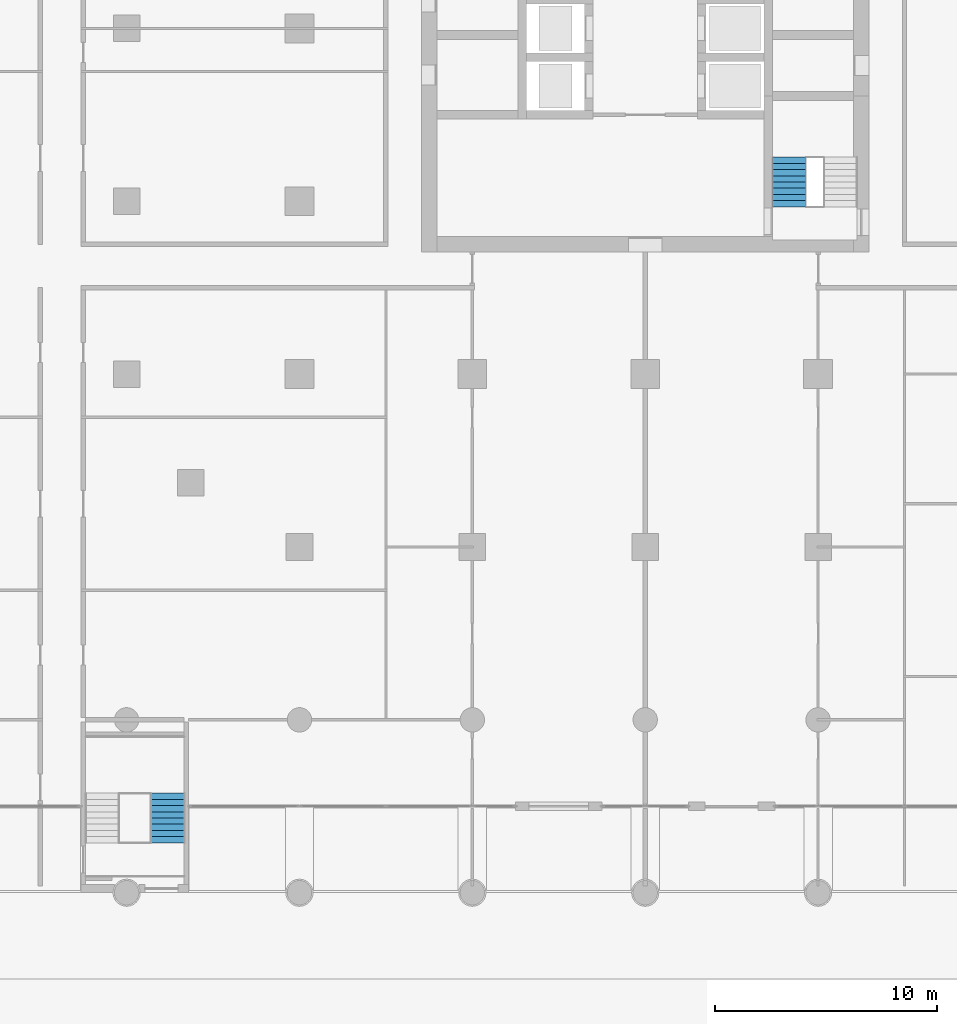
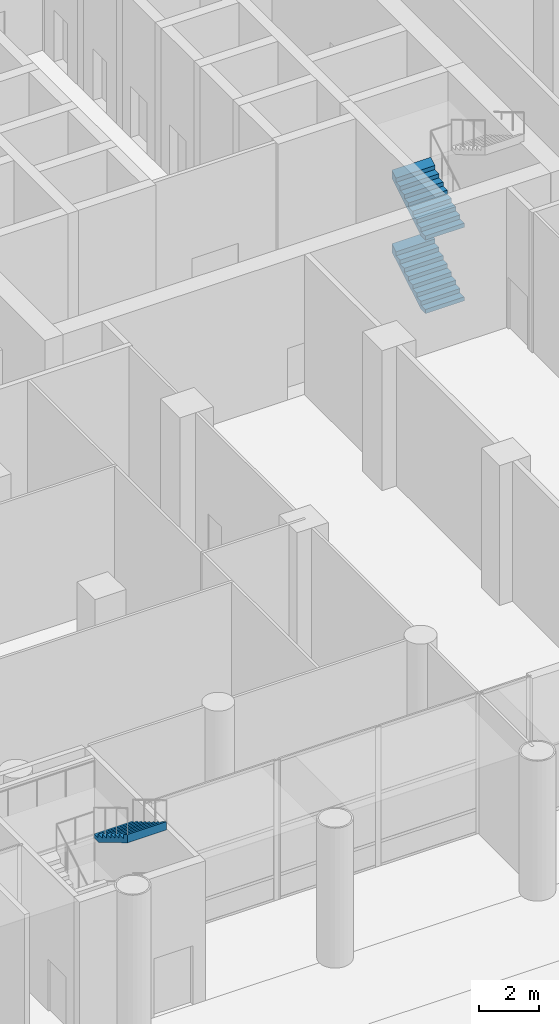
# One storey, part 18 of 32: 3 stair flights, 2 elements without a shape of their own.
"""IFC4 building model written with IfcOpenShell, lengths in metres."""

from ifc_helpers import new_model, si_unit, direction, frame, origin, place, context, subcontext, project, spatial, triangles, material, type_object, element, aggregate, save


model = new_model("IFC4")

# Units and contexts
model_context = context("Model", 3, precision=1e-05, world=origin(), true_north=direction((0.0, 1.0)))
body_context = subcontext(model_context, "Body", "Model", "MODEL_VIEW")
ifc_project = project(units=[si_unit("LENGTHUNIT", "METRE"), si_unit("AREAUNIT", "SQUARE_METRE"), si_unit("VOLUMEUNIT", "CUBIC_METRE"), si_unit("PLANEANGLEUNIT", "RADIAN"), si_unit("MASSUNIT", "GRAM", prefix="KILO")], contexts=[model_context])

# Site, building, storey
site_placement = place(None, origin())
site = spatial("IfcSite", under=ifc_project, at=site_placement, CompositionType="ELEMENT")
building_placement = place(site_placement, origin())
building = spatial("IfcBuilding", under=site, at=building_placement, Name="Ludao Terraces", CompositionType="ELEMENT")
storey_placement = place(building_placement, origin())
storey = spatial("IfcBuildingStorey", under=building, at=storey_placement, Name="L00", CompositionType="ELEMENT", Elevation=0.0)

# Stair, stair flights
ifc_material = material(Name="Concrete C40", Category="concrete")
stair_type = type_object("IfcStairType", Name="INT Stair", PredefinedType="HALF_TURN_STAIR", material=ifc_material)
stair_1_placement = place(storey_placement, origin())
stair_1 = element("IfcStair", 1, at=stair_1_placement, inside=storey, type_object=stair_type, Name="EXIT STAIR 3", PredefinedType="HALF_TURN_STAIR")
stair_flight_type = type_object("IfcStairFlightType", Name="INT Stair flight", PredefinedType="STRAIGHT", material=ifc_material)
stair_flight_1_placement = place(storey_placement, frame((91.5, 56.949951171875, 0.0), z_axis=(0.0, 0.0, 1.0), x_axis=(0.0, 1.0, 0.0)))
stair_flight_1 = element("IfcStairFlight", 2, at=stair_flight_1_placement, type_object=stair_flight_type, Name="ST3 flight 1", NumberOfRisers=9, NumberOfTreads=8, PredefinedType="STRAIGHT", RiserHeight=0.166667, TreadLength=0.28, context=body_context, shape_type="Tessellation", body=[
    triangles([(0.0, -0.75, 0.0), (0.0, -0.5, 0.0), (0.0, -0.25, 0.0), (0.0, 0.0, 0.0), (0.0, 0.25, 0.0), (0.0, 0.5, 0.0), (0.0, 0.75, 0.0), (0.0, -0.75, 0.166748046875), (0.0, -0.5, 0.166748046875), (0.0, -0.25, 0.166748046875), (0.0, 0.0, 0.166748046875), (0.0, 0.25, 0.166748046875), (0.0, 0.5, 0.166748046875), (0.0, 0.75, 0.166748046875), (0.280029296875, -0.75, 0.166748046875), (0.280029296875, -0.5, 0.166748046875), (0.280029296875, -0.25, 0.166748046875), (0.280029296875, 0.0, 0.166748046875), (0.280029296875, 0.25, 0.166748046875), (0.280029296875, 0.5, 0.166748046875), (0.280029296875, 0.75, 0.166748046875), (0.280029296875, -0.75, 0.333251953125), (0.280029296875, -0.5, 0.333251953125), (0.280029296875, -0.25, 0.333251953125), (0.280029296875, 0.0, 0.333251953125), (0.280029296875, 0.25, 0.333251953125), (0.280029296875, 0.5, 0.333251953125), (0.280029296875, 0.75, 0.333251953125), (0.56005859375, -0.75, 0.333251953125), (0.56005859375, -0.5, 0.333251953125), (0.56005859375, -0.25, 0.333251953125), (0.56005859375, 0.0, 0.333251953125), (0.56005859375, 0.25, 0.333251953125), (0.56005859375, 0.5, 0.333251953125), (0.56005859375, 0.75, 0.333251953125), (0.56005859375, -0.75, 0.5), (0.56005859375, -0.5, 0.5), (0.56005859375, -0.25, 0.5), (0.56005859375, 0.0, 0.5), (0.56005859375, 0.25, 0.5), (0.56005859375, 0.5, 0.5), (0.56005859375, 0.75, 0.5), (0.840087890625, -0.75, 0.5), (0.840087890625, -0.5, 0.5), (0.840087890625, -0.25, 0.5), (0.840087890625, 0.0, 0.5), (0.840087890625, 0.25, 0.5), (0.840087890625, 0.5, 0.5), (0.840087890625, 0.75, 0.5), (0.840087890625, -0.75, 0.666748046875), (0.840087890625, -0.5, 0.666748046875), (0.840087890625, -0.25, 0.666748046875), (0.840087890625, 0.0, 0.666748046875), (0.840087890625, 0.25, 0.666748046875), (0.840087890625, 0.5, 0.666748046875), (0.840087890625, 0.75, 0.666748046875), (1.1201171875, -0.75, 0.666748046875), (1.1201171875, -0.5, 0.666748046875), (1.1201171875, -0.25, 0.666748046875), (1.1201171875, 0.0, 0.666748046875), (1.1201171875, 0.25, 0.666748046875), (1.1201171875, 0.5, 0.666748046875), (1.1201171875, 0.75, 0.666748046875), (1.1201171875, -0.75, 0.833251953125), (1.1201171875, -0.5, 0.833251953125), (1.1201171875, -0.25, 0.833251953125), (1.1201171875, 0.0, 0.833251953125), (1.1201171875, 0.25, 0.833251953125), (1.1201171875, 0.5, 0.833251953125), (1.1201171875, 0.75, 0.833251953125), (1.39990234375, -0.75, 0.833251953125), (1.39990234375, -0.5, 0.833251953125), (1.39990234375, -0.25, 0.833251953125), (1.39990234375, 0.0, 0.833251953125), (1.39990234375, 0.25, 0.833251953125), (1.39990234375, 0.5, 0.833251953125), (1.39990234375, 0.75, 0.833251953125), (1.39990234375, -0.75, 1.0), (1.39990234375, -0.5, 1.0), (1.39990234375, -0.25, 1.0), (1.39990234375, 0.0, 1.0), (1.39990234375, 0.25, 1.0), (1.39990234375, 0.5, 1.0), (1.39990234375, 0.75, 1.0), (1.679931640625, -0.75, 1.0), (1.679931640625, -0.5, 1.0), (1.679931640625, -0.25, 1.0), (1.679931640625, 0.0, 1.0), (1.679931640625, 0.25, 1.0), (1.679931640625, 0.5, 1.0), (1.679931640625, 0.75, 1.0), (1.679931640625, -0.75, 1.166748046875), (1.679931640625, -0.5, 1.166748046875), (1.679931640625, -0.25, 1.166748046875), (1.679931640625, 0.0, 1.166748046875), (1.679931640625, 0.25, 1.166748046875), (1.679931640625, 0.5, 1.166748046875), (1.679931640625, 0.75, 1.166748046875), (1.9599609375, -0.75, 1.166748046875), (1.9599609375, -0.5, 1.166748046875), (1.9599609375, -0.25, 1.166748046875), (1.9599609375, 0.0, 1.166748046875), (1.9599609375, 0.25, 1.166748046875), (1.9599609375, 0.5, 1.166748046875), (1.9599609375, 0.75, 1.166748046875), (1.9599609375, -0.75, 1.333251953125), (1.9599609375, -0.5, 1.333251953125), (1.9599609375, -0.25, 1.333251953125), (1.9599609375, 0.0, 1.333251953125), (1.9599609375, 0.25, 1.333251953125), (1.9599609375, 0.5, 1.333251953125), (1.9599609375, 0.75, 1.333251953125), (2.239990234375, -0.75, 1.5), (2.239990234375, -0.5, 1.5), (2.239990234375, -0.25, 1.5), (2.239990234375, 0.0, 1.5), (2.239990234375, 0.25, 1.5), (2.239990234375, 0.5, 1.5), (2.239990234375, 0.75, 1.5), (2.239990234375, -0.75, 1.158935546875), (2.239990234375, -0.5, 1.158935546875), (2.239990234375, -0.25, 1.158935546875), (2.239990234375, 0.0, 1.158935546875), (2.239990234375, 0.25, 1.158935546875), (2.239990234375, 0.5, 1.158935546875), (2.239990234375, 0.75, 1.158935546875), (0.29296875, -0.75, 0.0), (0.29296875, -0.5, 0.0), (0.29296875, -0.25, 0.0), (0.29296875, 0.0, 0.0), (0.29296875, 0.25, 0.0), (0.29296875, 0.5, 0.0), (0.29296875, 0.75, 0.0)], [[1, 127, 120], [7, 126, 133], [120, 113, 106], [126, 112, 119], [120, 106, 99], [126, 105, 112], [120, 99, 92], [126, 98, 105], [120, 92, 85], [126, 91, 98], [85, 78, 71], [91, 77, 84], [120, 85, 71], [126, 77, 91], [71, 64, 57], [77, 63, 70], [120, 71, 57], [126, 63, 77], [57, 50, 43], [63, 49, 56], [120, 57, 43], [126, 49, 63], [43, 36, 29], [49, 35, 42], [120, 43, 29], [126, 35, 49], [1, 120, 29], [7, 35, 126], [29, 22, 15], [35, 21, 28], [1, 29, 15], [7, 21, 35], [15, 8, 1], [21, 7, 14], [1, 9, 2], [1, 8, 9], [2, 10, 3], [2, 9, 10], [3, 11, 4], [3, 10, 11], [4, 12, 5], [4, 11, 12], [5, 13, 6], [5, 12, 13], [6, 14, 7], [6, 13, 14], [8, 16, 9], [8, 15, 16], [9, 17, 10], [9, 16, 17], [10, 18, 11], [10, 17, 18], [11, 19, 12], [11, 18, 19], [12, 20, 13], [12, 19, 20], [13, 21, 14], [13, 20, 21], [15, 23, 16], [15, 22, 23], [16, 24, 17], [16, 23, 24], [17, 25, 18], [17, 24, 25], [18, 26, 19], [18, 25, 26], [19, 27, 20], [19, 26, 27], [20, 28, 21], [20, 27, 28], [22, 30, 23], [22, 29, 30], [23, 31, 24], [23, 30, 31], [24, 32, 25], [24, 31, 32], [25, 33, 26], [25, 32, 33], [26, 34, 27], [26, 33, 34], [27, 35, 28], [27, 34, 35], [29, 37, 30], [29, 36, 37], [30, 38, 31], [30, 37, 38], [31, 39, 32], [31, 38, 39], [32, 40, 33], [32, 39, 40], [33, 41, 34], [33, 40, 41], [34, 42, 35], [34, 41, 42], [36, 44, 37], [36, 43, 44], [37, 45, 38], [37, 44, 45], [38, 46, 39], [38, 45, 46], [39, 47, 40], [39, 46, 47], [40, 48, 41], [40, 47, 48], [41, 49, 42], [41, 48, 49], [43, 51, 44], [43, 50, 51], [44, 52, 45], [44, 51, 52], [45, 53, 46], [45, 52, 53], [46, 54, 47], [46, 53, 54], [47, 55, 48], [47, 54, 55], [48, 56, 49], [48, 55, 56], [50, 58, 51], [50, 57, 58], [51, 59, 52], [51, 58, 59], [52, 60, 53], [52, 59, 60], [53, 61, 54], [53, 60, 61], [54, 62, 55], [54, 61, 62], [55, 63, 56], [55, 62, 63], [57, 65, 58], [57, 64, 65], [58, 66, 59], [58, 65, 66], [59, 67, 60], [59, 66, 67], [60, 68, 61], [60, 67, 68], [61, 69, 62], [61, 68, 69], [62, 70, 63], [62, 69, 70], [64, 72, 65], [64, 71, 72], [65, 73, 66], [65, 72, 73], [66, 74, 67], [66, 73, 74], [67, 75, 68], [67, 74, 75], [68, 76, 69], [68, 75, 76], [69, 77, 70], [69, 76, 77], [71, 79, 72], [71, 78, 79], [72, 80, 73], [72, 79, 80], [73, 81, 74], [73, 80, 81], [74, 82, 75], [74, 81, 82], [75, 83, 76], [75, 82, 83], [76, 84, 77], [76, 83, 84], [78, 86, 79], [78, 85, 86], [79, 87, 80], [79, 86, 87], [80, 88, 81], [80, 87, 88], [81, 89, 82], [81, 88, 89], [82, 90, 83], [82, 89, 90], [83, 91, 84], [83, 90, 91], [85, 93, 86], [85, 92, 93], [86, 94, 87], [86, 93, 94], [87, 95, 88], [87, 94, 95], [88, 96, 89], [88, 95, 96], [89, 97, 90], [89, 96, 97], [90, 98, 91], [90, 97, 98], [92, 100, 93], [92, 99, 100], [93, 101, 94], [93, 100, 101], [94, 102, 95], [94, 101, 102], [95, 103, 96], [95, 102, 103], [96, 104, 97], [96, 103, 104], [97, 105, 98], [97, 104, 105], [99, 107, 100], [99, 106, 107], [100, 108, 101], [100, 107, 108], [101, 109, 102], [101, 108, 109], [102, 110, 103], [102, 109, 110], [103, 111, 104], [103, 110, 111], [104, 112, 105], [104, 111, 112], [106, 114, 107], [106, 113, 114], [107, 115, 108], [107, 114, 115], [108, 116, 109], [108, 115, 116], [109, 117, 110], [109, 116, 117], [110, 118, 111], [110, 117, 118], [111, 119, 112], [111, 118, 119], [113, 121, 114], [113, 120, 121], [114, 122, 115], [114, 121, 122], [115, 123, 116], [115, 122, 123], [116, 124, 117], [116, 123, 124], [117, 125, 118], [117, 124, 125], [118, 126, 119], [118, 125, 126], [120, 128, 121], [120, 127, 128], [121, 129, 122], [121, 128, 129], [122, 130, 123], [122, 129, 130], [123, 131, 124], [123, 130, 131], [124, 132, 125], [124, 131, 132], [125, 133, 126], [125, 132, 133], [127, 2, 128], [127, 1, 2], [128, 3, 129], [128, 2, 3], [129, 4, 130], [129, 3, 4], [130, 5, 131], [130, 4, 5], [131, 6, 132], [131, 5, 6], [132, 7, 133], [132, 6, 7]], closed=True),
])
stair_flight_2_placement = place(storey_placement, frame((91.5, 56.949951171875, 3.0), z_axis=(0.0, 0.0, 1.0), x_axis=(0.0, 1.0, 0.0)))
stair_flight_2 = element("IfcStairFlight", 3, at=stair_flight_2_placement, type_object=stair_flight_type, Name="ST3 flight 3", NumberOfRisers=9, NumberOfTreads=8, PredefinedType="STRAIGHT", RiserHeight=0.166667, TreadLength=0.28, context=body_context, shape_type="Tessellation", body=[
    triangles([(0.0, -0.75, 0.0), (0.0, -0.5, 0.0), (0.0, -0.25, 0.0), (0.0, 0.0, 0.0), (0.0, 0.25, 0.0), (0.0, 0.5, 0.0), (0.0, 0.75, 0.0), (0.0, -0.75, 0.166748046875), (0.0, -0.5, 0.166748046875), (0.0, -0.25, 0.166748046875), (0.0, 0.0, 0.166748046875), (0.0, 0.25, 0.166748046875), (0.0, 0.5, 0.166748046875), (0.0, 0.75, 0.166748046875), (0.280029296875, -0.75, 0.166748046875), (0.280029296875, -0.5, 0.166748046875), (0.280029296875, -0.25, 0.166748046875), (0.280029296875, 0.0, 0.166748046875), (0.280029296875, 0.25, 0.166748046875), (0.280029296875, 0.5, 0.166748046875), (0.280029296875, 0.75, 0.166748046875), (0.280029296875, -0.75, 0.333251953125), (0.280029296875, -0.5, 0.333251953125), (0.280029296875, -0.25, 0.333251953125), (0.280029296875, 0.0, 0.333251953125), (0.280029296875, 0.25, 0.333251953125), (0.280029296875, 0.5, 0.333251953125), (0.280029296875, 0.75, 0.333251953125), (0.56005859375, -0.75, 0.333251953125), (0.56005859375, -0.5, 0.333251953125), (0.56005859375, -0.25, 0.333251953125), (0.56005859375, 0.0, 0.333251953125), (0.56005859375, 0.25, 0.333251953125), (0.56005859375, 0.5, 0.333251953125), (0.56005859375, 0.75, 0.333251953125), (0.56005859375, -0.75, 0.5), (0.56005859375, -0.5, 0.5), (0.56005859375, -0.25, 0.5), (0.56005859375, 0.0, 0.5), (0.56005859375, 0.25, 0.5), (0.56005859375, 0.5, 0.5), (0.56005859375, 0.75, 0.5), (0.840087890625, -0.75, 0.5), (0.840087890625, -0.5, 0.5), (0.840087890625, -0.25, 0.5), (0.840087890625, 0.0, 0.5), (0.840087890625, 0.25, 0.5), (0.840087890625, 0.5, 0.5), (0.840087890625, 0.75, 0.5), (0.840087890625, -0.75, 0.666748046875), (0.840087890625, -0.5, 0.666748046875), (0.840087890625, -0.25, 0.666748046875), (0.840087890625, 0.0, 0.666748046875), (0.840087890625, 0.25, 0.666748046875), (0.840087890625, 0.5, 0.666748046875), (0.840087890625, 0.75, 0.666748046875), (1.1201171875, -0.75, 0.666748046875), (1.1201171875, -0.5, 0.666748046875), (1.1201171875, -0.25, 0.666748046875), (1.1201171875, 0.0, 0.666748046875), (1.1201171875, 0.25, 0.666748046875), (1.1201171875, 0.5, 0.666748046875), (1.1201171875, 0.75, 0.666748046875), (1.1201171875, -0.75, 0.833251953125), (1.1201171875, -0.5, 0.833251953125), (1.1201171875, -0.25, 0.833251953125), (1.1201171875, 0.0, 0.833251953125), (1.1201171875, 0.25, 0.833251953125), (1.1201171875, 0.5, 0.833251953125), (1.1201171875, 0.75, 0.833251953125), (1.39990234375, -0.75, 0.833251953125), (1.39990234375, -0.5, 0.833251953125), (1.39990234375, -0.25, 0.833251953125), (1.39990234375, 0.0, 0.833251953125), (1.39990234375, 0.25, 0.833251953125), (1.39990234375, 0.5, 0.833251953125), (1.39990234375, 0.75, 0.833251953125), (1.39990234375, -0.75, 1.0), (1.39990234375, -0.5, 1.0), (1.39990234375, -0.25, 1.0), (1.39990234375, 0.0, 1.0), (1.39990234375, 0.25, 1.0), (1.39990234375, 0.5, 1.0), (1.39990234375, 0.75, 1.0), (1.679931640625, -0.75, 1.0), (1.679931640625, -0.5, 1.0), (1.679931640625, -0.25, 1.0), (1.679931640625, 0.0, 1.0), (1.679931640625, 0.25, 1.0), (1.679931640625, 0.5, 1.0), (1.679931640625, 0.75, 1.0), (1.679931640625, -0.75, 1.166748046875), (1.679931640625, -0.5, 1.166748046875), (1.679931640625, -0.25, 1.166748046875), (1.679931640625, 0.0, 1.166748046875), (1.679931640625, 0.25, 1.166748046875), (1.679931640625, 0.5, 1.166748046875), (1.679931640625, 0.75, 1.166748046875), (1.9599609375, -0.75, 1.166748046875), (1.9599609375, -0.5, 1.166748046875), (1.9599609375, -0.25, 1.166748046875), (1.9599609375, 0.0, 1.166748046875), (1.9599609375, 0.25, 1.166748046875), (1.9599609375, 0.5, 1.166748046875), (1.9599609375, 0.75, 1.166748046875), (1.9599609375, -0.75, 1.333251953125), (1.9599609375, -0.5, 1.333251953125), (1.9599609375, -0.25, 1.333251953125), (1.9599609375, 0.0, 1.333251953125), (1.9599609375, 0.25, 1.333251953125), (1.9599609375, 0.5, 1.333251953125), (1.9599609375, 0.75, 1.333251953125), (2.239990234375, -0.75, 1.5), (2.239990234375, -0.5, 1.5), (2.239990234375, -0.25, 1.5), (2.239990234375, 0.0, 1.5), (2.239990234375, 0.25, 1.5), (2.239990234375, 0.5, 1.5), (2.239990234375, 0.75, 1.5), (2.239990234375, -0.75, 1.158935546875), (2.239990234375, -0.5, 1.158935546875), (2.239990234375, -0.25, 1.158935546875), (2.239990234375, 0.0, 1.158935546875), (2.239990234375, 0.25, 1.158935546875), (2.239990234375, 0.5, 1.158935546875), (2.239990234375, 0.75, 1.158935546875), (0.29296875, -0.75, 0.0), (0.29296875, -0.5, 0.0), (0.29296875, -0.25, 0.0), (0.29296875, 0.0, 0.0), (0.29296875, 0.25, 0.0), (0.29296875, 0.5, 0.0), (0.29296875, 0.75, 0.0)], [[1, 127, 120], [7, 126, 133], [120, 113, 106], [126, 112, 119], [120, 106, 99], [126, 105, 112], [120, 99, 92], [126, 98, 105], [120, 92, 85], [126, 91, 98], [85, 78, 71], [91, 77, 84], [120, 85, 71], [126, 77, 91], [71, 64, 57], [77, 63, 70], [120, 71, 57], [126, 63, 77], [57, 50, 43], [63, 49, 56], [120, 57, 43], [126, 49, 63], [43, 36, 29], [49, 35, 42], [120, 43, 29], [126, 35, 49], [1, 120, 29], [7, 35, 126], [29, 22, 15], [35, 21, 28], [1, 29, 15], [7, 21, 35], [15, 8, 1], [21, 7, 14], [1, 9, 2], [1, 8, 9], [2, 10, 3], [2, 9, 10], [3, 11, 4], [3, 10, 11], [4, 12, 5], [4, 11, 12], [5, 13, 6], [5, 12, 13], [6, 14, 7], [6, 13, 14], [8, 16, 9], [8, 15, 16], [9, 17, 10], [9, 16, 17], [10, 18, 11], [10, 17, 18], [11, 19, 12], [11, 18, 19], [12, 20, 13], [12, 19, 20], [13, 21, 14], [13, 20, 21], [15, 23, 16], [15, 22, 23], [16, 24, 17], [16, 23, 24], [17, 25, 18], [17, 24, 25], [18, 26, 19], [18, 25, 26], [19, 27, 20], [19, 26, 27], [20, 28, 21], [20, 27, 28], [22, 30, 23], [22, 29, 30], [23, 31, 24], [23, 30, 31], [24, 32, 25], [24, 31, 32], [25, 33, 26], [25, 32, 33], [26, 34, 27], [26, 33, 34], [27, 35, 28], [27, 34, 35], [29, 37, 30], [29, 36, 37], [30, 38, 31], [30, 37, 38], [31, 39, 32], [31, 38, 39], [32, 40, 33], [32, 39, 40], [33, 41, 34], [33, 40, 41], [34, 42, 35], [34, 41, 42], [36, 44, 37], [36, 43, 44], [37, 45, 38], [37, 44, 45], [38, 46, 39], [38, 45, 46], [39, 47, 40], [39, 46, 47], [40, 48, 41], [40, 47, 48], [41, 49, 42], [41, 48, 49], [43, 51, 44], [43, 50, 51], [44, 52, 45], [44, 51, 52], [45, 53, 46], [45, 52, 53], [46, 54, 47], [46, 53, 54], [47, 55, 48], [47, 54, 55], [48, 56, 49], [48, 55, 56], [50, 58, 51], [50, 57, 58], [51, 59, 52], [51, 58, 59], [52, 60, 53], [52, 59, 60], [53, 61, 54], [53, 60, 61], [54, 62, 55], [54, 61, 62], [55, 63, 56], [55, 62, 63], [57, 65, 58], [57, 64, 65], [58, 66, 59], [58, 65, 66], [59, 67, 60], [59, 66, 67], [60, 68, 61], [60, 67, 68], [61, 69, 62], [61, 68, 69], [62, 70, 63], [62, 69, 70], [64, 72, 65], [64, 71, 72], [65, 73, 66], [65, 72, 73], [66, 74, 67], [66, 73, 74], [67, 75, 68], [67, 74, 75], [68, 76, 69], [68, 75, 76], [69, 77, 70], [69, 76, 77], [71, 79, 72], [71, 78, 79], [72, 80, 73], [72, 79, 80], [73, 81, 74], [73, 80, 81], [74, 82, 75], [74, 81, 82], [75, 83, 76], [75, 82, 83], [76, 84, 77], [76, 83, 84], [78, 86, 79], [78, 85, 86], [79, 87, 80], [79, 86, 87], [80, 88, 81], [80, 87, 88], [81, 89, 82], [81, 88, 89], [82, 90, 83], [82, 89, 90], [83, 91, 84], [83, 90, 91], [85, 93, 86], [85, 92, 93], [86, 94, 87], [86, 93, 94], [87, 95, 88], [87, 94, 95], [88, 96, 89], [88, 95, 96], [89, 97, 90], [89, 96, 97], [90, 98, 91], [90, 97, 98], [92, 100, 93], [92, 99, 100], [93, 101, 94], [93, 100, 101], [94, 102, 95], [94, 101, 102], [95, 103, 96], [95, 102, 103], [96, 104, 97], [96, 103, 104], [97, 105, 98], [97, 104, 105], [99, 107, 100], [99, 106, 107], [100, 108, 101], [100, 107, 108], [101, 109, 102], [101, 108, 109], [102, 110, 103], [102, 109, 110], [103, 111, 104], [103, 110, 111], [104, 112, 105], [104, 111, 112], [106, 114, 107], [106, 113, 114], [107, 115, 108], [107, 114, 115], [108, 116, 109], [108, 115, 116], [109, 117, 110], [109, 116, 117], [110, 118, 111], [110, 117, 118], [111, 119, 112], [111, 118, 119], [113, 121, 114], [113, 120, 121], [114, 122, 115], [114, 121, 122], [115, 123, 116], [115, 122, 123], [116, 124, 117], [116, 123, 124], [117, 125, 118], [117, 124, 125], [118, 126, 119], [118, 125, 126], [120, 128, 121], [120, 127, 128], [121, 129, 122], [121, 128, 129], [122, 130, 123], [122, 129, 130], [123, 131, 124], [123, 130, 131], [124, 132, 125], [124, 131, 132], [125, 133, 126], [125, 132, 133], [127, 2, 128], [127, 1, 2], [128, 3, 129], [128, 2, 3], [129, 4, 130], [129, 3, 4], [130, 5, 131], [130, 4, 5], [131, 6, 132], [131, 5, 6], [132, 7, 133], [132, 6, 7]], closed=True),
])
aggregate(stair_1, [stair_flight_1, stair_flight_2])

# Stair, stair flight
stair_2_placement = place(storey_placement, origin())
stair_2 = element("IfcStair", 4, at=stair_2_placement, inside=storey, type_object=stair_type, Name="EXIT STAIR 4", PredefinedType="HALF_TURN_STAIR")
stair_flight_3_placement = place(storey_placement, frame((63.449951171875, 30.489990234375, 4.5), z_axis=(0.0, 0.0, 1.0), x_axis=(0.0, -1.0, 0.0)))
stair_flight_3 = element("IfcStairFlight", 5, at=stair_flight_3_placement, type_object=stair_flight_type, Name="ST4 flight 4", NumberOfRisers=9, NumberOfTreads=8, PredefinedType="STRAIGHT", RiserHeight=0.166667, TreadLength=0.28, context=body_context, shape_type="Tessellation", body=[
    triangles([(0.0, -0.75, 0.0), (0.0, -0.5, 0.0), (0.0, -0.25, 0.0), (0.0, 0.0, 0.0), (0.0, 0.25, 0.0), (0.0, 0.5, 0.0), (0.0, 0.75, 0.0), (0.0, -0.75, 0.166748046875), (0.0, -0.5, 0.166748046875), (0.0, -0.25, 0.166748046875), (0.0, 0.0, 0.166748046875), (0.0, 0.25, 0.166748046875), (0.0, 0.5, 0.166748046875), (0.0, 0.75, 0.166748046875), (0.280029296875, -0.75, 0.166748046875), (0.280029296875, -0.5, 0.166748046875), (0.280029296875, -0.25, 0.166748046875), (0.280029296875, 0.0, 0.166748046875), (0.280029296875, 0.25, 0.166748046875), (0.280029296875, 0.5, 0.166748046875), (0.280029296875, 0.75, 0.166748046875), (0.280029296875, -0.75, 0.333251953125), (0.280029296875, -0.5, 0.333251953125), (0.280029296875, -0.25, 0.333251953125), (0.280029296875, 0.0, 0.333251953125), (0.280029296875, 0.25, 0.333251953125), (0.280029296875, 0.5, 0.333251953125), (0.280029296875, 0.75, 0.333251953125), (0.56005859375, -0.75, 0.333251953125), (0.56005859375, -0.5, 0.333251953125), (0.56005859375, -0.25, 0.333251953125), (0.56005859375, 0.0, 0.333251953125), (0.56005859375, 0.25, 0.333251953125), (0.56005859375, 0.5, 0.333251953125), (0.56005859375, 0.75, 0.333251953125), (0.56005859375, -0.75, 0.5), (0.56005859375, -0.5, 0.5), (0.56005859375, -0.25, 0.5), (0.56005859375, 0.0, 0.5), (0.56005859375, 0.25, 0.5), (0.56005859375, 0.5, 0.5), (0.56005859375, 0.75, 0.5), (0.840087890625, -0.75, 0.5), (0.840087890625, -0.5, 0.5), (0.840087890625, -0.25, 0.5), (0.840087890625, 0.0, 0.5), (0.840087890625, 0.25, 0.5), (0.840087890625, 0.5, 0.5), (0.840087890625, 0.75, 0.5), (0.840087890625, -0.75, 0.666748046875), (0.840087890625, -0.5, 0.666748046875), (0.840087890625, -0.25, 0.666748046875), (0.840087890625, 0.0, 0.666748046875), (0.840087890625, 0.25, 0.666748046875), (0.840087890625, 0.5, 0.666748046875), (0.840087890625, 0.75, 0.666748046875), (1.1201171875, -0.75, 0.666748046875), (1.1201171875, -0.5, 0.666748046875), (1.1201171875, -0.25, 0.666748046875), (1.1201171875, 0.0, 0.666748046875), (1.1201171875, 0.25, 0.666748046875), (1.1201171875, 0.5, 0.666748046875), (1.1201171875, 0.75, 0.666748046875), (1.1201171875, -0.75, 0.833251953125), (1.1201171875, -0.5, 0.833251953125), (1.1201171875, -0.25, 0.833251953125), (1.1201171875, 0.0, 0.833251953125), (1.1201171875, 0.25, 0.833251953125), (1.1201171875, 0.5, 0.833251953125), (1.1201171875, 0.75, 0.833251953125), (1.39990234375, -0.75, 0.833251953125), (1.39990234375, -0.5, 0.833251953125), (1.39990234375, -0.25, 0.833251953125), (1.39990234375, 0.0, 0.833251953125), (1.39990234375, 0.25, 0.833251953125), (1.39990234375, 0.5, 0.833251953125), (1.39990234375, 0.75, 0.833251953125), (1.39990234375, -0.75, 1.0), (1.39990234375, -0.5, 1.0), (1.39990234375, -0.25, 1.0), (1.39990234375, 0.0, 1.0), (1.39990234375, 0.25, 1.0), (1.39990234375, 0.5, 1.0), (1.39990234375, 0.75, 1.0), (1.679931640625, -0.75, 1.0), (1.679931640625, -0.5, 1.0), (1.679931640625, -0.25, 1.0), (1.679931640625, 0.0, 1.0), (1.679931640625, 0.25, 1.0), (1.679931640625, 0.5, 1.0), (1.679931640625, 0.75, 1.0), (1.679931640625, -0.75, 1.166748046875), (1.679931640625, -0.5, 1.166748046875), (1.679931640625, -0.25, 1.166748046875), (1.679931640625, 0.0, 1.166748046875), (1.679931640625, 0.25, 1.166748046875), (1.679931640625, 0.5, 1.166748046875), (1.679931640625, 0.75, 1.166748046875), (1.9599609375, -0.75, 1.166748046875), (1.9599609375, -0.5, 1.166748046875), (1.9599609375, -0.25, 1.166748046875), (1.9599609375, 0.0, 1.166748046875), (1.9599609375, 0.25, 1.166748046875), (1.9599609375, 0.5, 1.166748046875), (1.9599609375, 0.75, 1.166748046875), (1.9599609375, -0.75, 1.333251953125), (1.9599609375, -0.5, 1.333251953125), (1.9599609375, -0.25, 1.333251953125), (1.9599609375, 0.0, 1.333251953125), (1.9599609375, 0.25, 1.333251953125), (1.9599609375, 0.5, 1.333251953125), (1.9599609375, 0.75, 1.333251953125), (2.239990234375, -0.75, 1.5), (2.239990234375, -0.5, 1.5), (2.239990234375, -0.25, 1.5), (2.239990234375, 0.0, 1.5), (2.239990234375, 0.25, 1.5), (2.239990234375, 0.5, 1.5), (2.239990234375, 0.75, 1.5), (2.239990234375, -0.75, 1.158935546875), (2.239990234375, -0.5, 1.158935546875), (2.239990234375, -0.25, 1.158935546875), (2.239990234375, 0.0, 1.158935546875), (2.239990234375, 0.25, 1.158935546875), (2.239990234375, 0.5, 1.158935546875), (2.239990234375, 0.75, 1.158935546875), (0.29296875, -0.75, 0.0), (0.29296875, -0.5, 0.0), (0.29296875, -0.25, 0.0), (0.29296875, 0.0, 0.0), (0.29296875, 0.25, 0.0), (0.29296875, 0.5, 0.0), (0.29296875, 0.75, 0.0)], [[1, 127, 120], [7, 126, 133], [120, 113, 106], [126, 112, 119], [120, 106, 99], [126, 105, 112], [120, 99, 92], [126, 98, 105], [120, 92, 85], [126, 91, 98], [85, 78, 71], [91, 77, 84], [120, 85, 71], [126, 77, 91], [71, 64, 57], [77, 63, 70], [120, 71, 57], [126, 63, 77], [57, 50, 43], [63, 49, 56], [120, 57, 43], [126, 49, 63], [43, 36, 29], [49, 35, 42], [120, 43, 29], [126, 35, 49], [1, 120, 29], [7, 35, 126], [29, 22, 15], [35, 21, 28], [1, 29, 15], [7, 21, 35], [15, 8, 1], [21, 7, 14], [1, 9, 2], [1, 8, 9], [2, 10, 3], [2, 9, 10], [3, 11, 4], [3, 10, 11], [4, 12, 5], [4, 11, 12], [5, 13, 6], [5, 12, 13], [6, 14, 7], [6, 13, 14], [8, 16, 9], [8, 15, 16], [9, 17, 10], [9, 16, 17], [10, 18, 11], [10, 17, 18], [11, 19, 12], [11, 18, 19], [12, 20, 13], [12, 19, 20], [13, 21, 14], [13, 20, 21], [15, 23, 16], [15, 22, 23], [16, 24, 17], [16, 23, 24], [17, 25, 18], [17, 24, 25], [18, 26, 19], [18, 25, 26], [19, 27, 20], [19, 26, 27], [20, 28, 21], [20, 27, 28], [22, 30, 23], [22, 29, 30], [23, 31, 24], [23, 30, 31], [24, 32, 25], [24, 31, 32], [25, 33, 26], [25, 32, 33], [26, 34, 27], [26, 33, 34], [27, 35, 28], [27, 34, 35], [29, 37, 30], [29, 36, 37], [30, 38, 31], [30, 37, 38], [31, 39, 32], [31, 38, 39], [32, 40, 33], [32, 39, 40], [33, 41, 34], [33, 40, 41], [34, 42, 35], [34, 41, 42], [36, 44, 37], [36, 43, 44], [37, 45, 38], [37, 44, 45], [38, 46, 39], [38, 45, 46], [39, 47, 40], [39, 46, 47], [40, 48, 41], [40, 47, 48], [41, 49, 42], [41, 48, 49], [43, 51, 44], [43, 50, 51], [44, 52, 45], [44, 51, 52], [45, 53, 46], [45, 52, 53], [46, 54, 47], [46, 53, 54], [47, 55, 48], [47, 54, 55], [48, 56, 49], [48, 55, 56], [50, 58, 51], [50, 57, 58], [51, 59, 52], [51, 58, 59], [52, 60, 53], [52, 59, 60], [53, 61, 54], [53, 60, 61], [54, 62, 55], [54, 61, 62], [55, 63, 56], [55, 62, 63], [57, 65, 58], [57, 64, 65], [58, 66, 59], [58, 65, 66], [59, 67, 60], [59, 66, 67], [60, 68, 61], [60, 67, 68], [61, 69, 62], [61, 68, 69], [62, 70, 63], [62, 69, 70], [64, 72, 65], [64, 71, 72], [65, 73, 66], [65, 72, 73], [66, 74, 67], [66, 73, 74], [67, 75, 68], [67, 74, 75], [68, 76, 69], [68, 75, 76], [69, 77, 70], [69, 76, 77], [71, 79, 72], [71, 78, 79], [72, 80, 73], [72, 79, 80], [73, 81, 74], [73, 80, 81], [74, 82, 75], [74, 81, 82], [75, 83, 76], [75, 82, 83], [76, 84, 77], [76, 83, 84], [78, 86, 79], [78, 85, 86], [79, 87, 80], [79, 86, 87], [80, 88, 81], [80, 87, 88], [81, 89, 82], [81, 88, 89], [82, 90, 83], [82, 89, 90], [83, 91, 84], [83, 90, 91], [85, 93, 86], [85, 92, 93], [86, 94, 87], [86, 93, 94], [87, 95, 88], [87, 94, 95], [88, 96, 89], [88, 95, 96], [89, 97, 90], [89, 96, 97], [90, 98, 91], [90, 97, 98], [92, 100, 93], [92, 99, 100], [93, 101, 94], [93, 100, 101], [94, 102, 95], [94, 101, 102], [95, 103, 96], [95, 102, 103], [96, 104, 97], [96, 103, 104], [97, 105, 98], [97, 104, 105], [99, 107, 100], [99, 106, 107], [100, 108, 101], [100, 107, 108], [101, 109, 102], [101, 108, 109], [102, 110, 103], [102, 109, 110], [103, 111, 104], [103, 110, 111], [104, 112, 105], [104, 111, 112], [106, 114, 107], [106, 113, 114], [107, 115, 108], [107, 114, 115], [108, 116, 109], [108, 115, 116], [109, 117, 110], [109, 116, 117], [110, 118, 111], [110, 117, 118], [111, 119, 112], [111, 118, 119], [113, 121, 114], [113, 120, 121], [114, 122, 115], [114, 121, 122], [115, 123, 116], [115, 122, 123], [116, 124, 117], [116, 123, 124], [117, 125, 118], [117, 124, 125], [118, 126, 119], [118, 125, 126], [120, 128, 121], [120, 127, 128], [121, 129, 122], [121, 128, 129], [122, 130, 123], [122, 129, 130], [123, 131, 124], [123, 130, 131], [124, 132, 125], [124, 131, 132], [125, 133, 126], [125, 132, 133], [127, 2, 128], [127, 1, 2], [128, 3, 129], [128, 2, 3], [129, 4, 130], [129, 3, 4], [130, 5, 131], [130, 4, 5], [131, 6, 132], [131, 5, 6], [132, 7, 133], [132, 6, 7]], closed=True),
])
aggregate(stair_2, [stair_flight_3])

save(model, "model.ifc")
